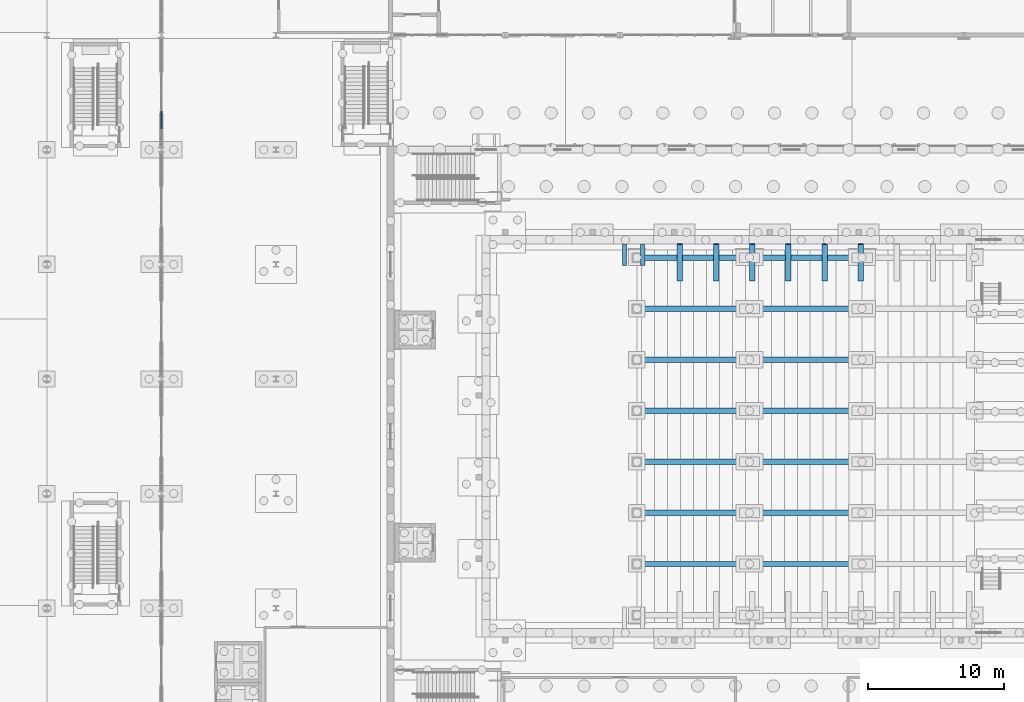
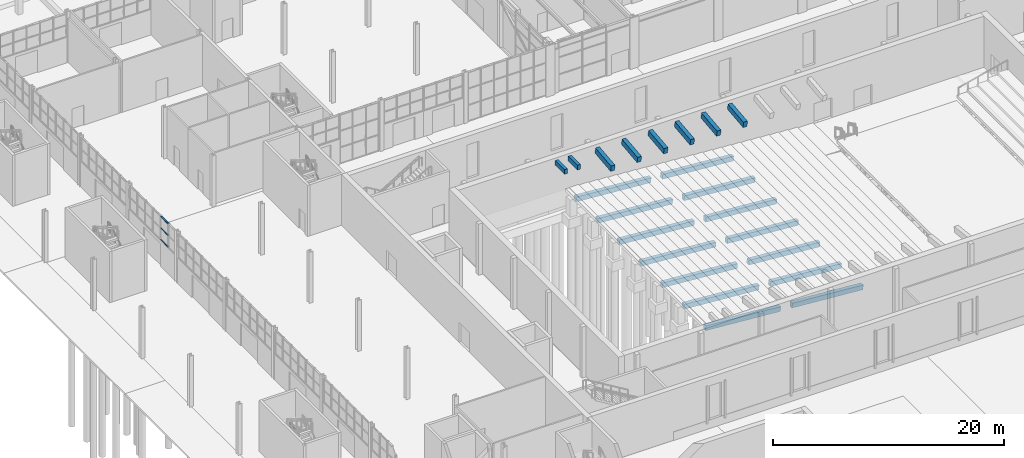
# One storey, part 37 of 127: 22 beams, 3 members, 1 element without a shape of its own.
"""IFC4 building model written with IfcOpenShell, lengths in metres."""

from ifc_helpers import new_model, si_unit, direction, frame, origin, origin_2d, place, context, subcontext, project, spatial, rectangle, extrude, material, material_profile, profile_set, type_object, element, aggregate, save


model = new_model("IFC4")

# Units and contexts
model_context = context("Model", 3, precision=1e-05, world=origin(), true_north=direction((0.0, 1.0)))
body_context = subcontext(model_context, "Body", "Model", "MODEL_VIEW")
ifc_project = project(units=[si_unit("LENGTHUNIT", "METRE"), si_unit("AREAUNIT", "SQUARE_METRE"), si_unit("VOLUMEUNIT", "CUBIC_METRE"), si_unit("PLANEANGLEUNIT", "RADIAN"), si_unit("MASSUNIT", "GRAM", prefix="KILO")], contexts=[model_context])

# Site, building, storey
site_placement = place(None, origin())
site = spatial("IfcSite", under=ifc_project, at=site_placement, CompositionType="ELEMENT")
building_placement = place(site_placement, origin())
building = spatial("IfcBuilding", under=site, at=building_placement, Name="Ljudholm Concert House", CompositionType="ELEMENT")
storey_placement = place(building_placement, origin())
storey = spatial("IfcBuildingStorey", under=building, at=storey_placement, Name="L00", CompositionType="ELEMENT", Elevation=0.0)

# Beams
ifc_material_1 = material(Name="Concrete 6,500 psi", Category="concrete")
ifc_material_profile_1 = material_profile(ifc_material_1, rectangle(XDim=0.300048828125, YDim=0.5, at=origin_2d()), Name="RC BEAM 300x500 BEAM")
ifc_profile_set_1 = profile_set([ifc_material_profile_1], Name="Concrete 6,500 psi")
beam_type_1 = type_object("IfcBeamType", Name="RC BEAM 300x500 BEAM", PredefinedType="BEAM", material=ifc_profile_set_1)
for number, where, z_axis, x_axis, name in (
    (1, (46.35009765625, 87.89990234375, 4.89990234375), (0.0, 1.0, 0.0), (-1.0, 0.0, 0.0), "Landing bracket beam"),
    (2, (47.64990234375, 87.89990234375, 4.89990234375), (0.0, 1.0, 0.0), (-1.0, 0.0, 0.0), "Landing bracket beam"),
):
    element("IfcBeam", number, at=place(storey_placement, frame(where, z_axis=z_axis, x_axis=x_axis)), inside=storey, type_object=beam_type_1, Name=name, PredefinedType="BEAM", context=body_context, shape_type="SweptSolid", body=[
        extrude(rectangle(XDim=0.300048828125, YDim=0.5, at=origin_2d()), origin(), (0.0, 0.0, 1.0), 1.60009765625),
    ])
ifc_material_2 = material(Name="Concrete 6,500 psi", Category="concrete")
ifc_material_profile_2 = material_profile(ifc_material_2, rectangle(XDim=0.39990234375, YDim=0.5, at=origin_2d()), Name="RC BEAM 400x500 BEAM")
ifc_profile_set_2 = profile_set([ifc_material_profile_2], Name="Concrete 6,500 psi")
beam_type_2 = type_object("IfcBeamType", Name="RC BEAM 400x500 BEAM", PredefinedType="BEAM", material=ifc_profile_set_2)
beam_1_placement = place(storey_placement, frame((47.60009765625, 66.04296875, 1.25), z_axis=(0.997116400564, 0.0, -0.075887309392), x_axis=(0.0, 1.0, 0.0)))
element("IfcBeam", 3, at=beam_1_placement, inside=storey, type_object=beam_type_2, Name="Ground beam", PredefinedType="BEAM", context=body_context, shape_type="SweptSolid", body=[
    extrude(rectangle(XDim=0.39990234375, YDim=0.5, at=origin_2d()), origin(), (0.0, 0.0, 1.0), 7.521728515625),
])
beam_2_placement = place(storey_placement, frame((56.25, 66.04296875, 0.620849609375), z_axis=(0.997101690302, 0.0, -0.076080346977), x_axis=(0.0, 1.0, 0.0)))
element("IfcBeam", 4, at=beam_2_placement, inside=storey, type_object=beam_type_2, Name="Ground beam", PredefinedType="BEAM", context=body_context, shape_type="SweptSolid", body=[
    extrude(rectangle(XDim=0.39990234375, YDim=0.5, at=origin_2d()), origin(), (0.0, 0.0, 1.0), 7.120849609375),
])
beam_3_placement = place(storey_placement, frame((47.60009765625, 69.78564453125, 1.25), z_axis=(0.997116400564, 0.0, -0.075887309392), x_axis=(0.0, 1.0, 0.0)))
element("IfcBeam", 5, at=beam_3_placement, inside=storey, type_object=beam_type_2, Name="Ground beam", PredefinedType="BEAM", context=body_context, shape_type="SweptSolid", body=[
    extrude(rectangle(XDim=0.39990234375, YDim=0.5, at=origin_2d()), origin(), (0.0, 0.0, 1.0), 7.521728515625),
])
beam_4_placement = place(storey_placement, frame((56.25, 69.78564453125, 0.620849609375), z_axis=(0.997101690302, 0.0, -0.076080346977), x_axis=(0.0, 1.0, 0.0)))
element("IfcBeam", 6, at=beam_4_placement, inside=storey, type_object=beam_type_2, Name="Ground beam", PredefinedType="BEAM", context=body_context, shape_type="SweptSolid", body=[
    extrude(rectangle(XDim=0.39990234375, YDim=0.5, at=origin_2d()), origin(), (0.0, 0.0, 1.0), 7.120849609375),
])
beam_5_placement = place(storey_placement, frame((47.60009765625, 73.528564453125, 1.25), z_axis=(0.997116400564, 0.0, -0.075887309392), x_axis=(0.0, 1.0, 0.0)))
element("IfcBeam", 7, at=beam_5_placement, inside=storey, type_object=beam_type_2, Name="Ground beam", PredefinedType="BEAM", context=body_context, shape_type="SweptSolid", body=[
    extrude(rectangle(XDim=0.39990234375, YDim=0.5, at=origin_2d()), origin(), (0.0, 0.0, 1.0), 7.521728515625),
])
beam_6_placement = place(storey_placement, frame((56.25, 73.528564453125, 0.620849609375), z_axis=(0.997101690302, 0.0, -0.076080346977), x_axis=(0.0, 1.0, 0.0)))
element("IfcBeam", 8, at=beam_6_placement, inside=storey, type_object=beam_type_2, Name="Ground beam", PredefinedType="BEAM", context=body_context, shape_type="SweptSolid", body=[
    extrude(rectangle(XDim=0.39990234375, YDim=0.5, at=origin_2d()), origin(), (0.0, 0.0, 1.0), 7.120849609375),
])
beam_7_placement = place(storey_placement, frame((47.60009765625, 77.271484375, 1.25), z_axis=(0.997116400564, 0.0, -0.075887309392), x_axis=(0.0, 1.0, 0.0)))
element("IfcBeam", 9, at=beam_7_placement, inside=storey, type_object=beam_type_2, Name="Ground beam", PredefinedType="BEAM", context=body_context, shape_type="SweptSolid", body=[
    extrude(rectangle(XDim=0.39990234375, YDim=0.5, at=origin_2d()), origin(), (0.0, 0.0, 1.0), 7.521728515625),
])
beam_8_placement = place(storey_placement, frame((56.25, 77.271484375, 0.620849609375), z_axis=(0.997101690302, 0.0, -0.076080346977), x_axis=(0.0, 1.0, 0.0)))
element("IfcBeam", 10, at=beam_8_placement, inside=storey, type_object=beam_type_2, Name="Ground beam", PredefinedType="BEAM", context=body_context, shape_type="SweptSolid", body=[
    extrude(rectangle(XDim=0.39990234375, YDim=0.5, at=origin_2d()), origin(), (0.0, 0.0, 1.0), 7.120849609375),
])
beam_9_placement = place(storey_placement, frame((47.60009765625, 81.014404296875, 1.25), z_axis=(0.997116400564, 0.0, -0.075887309392), x_axis=(0.0, 1.0, 0.0)))
element("IfcBeam", 11, at=beam_9_placement, inside=storey, type_object=beam_type_2, Name="Ground beam", PredefinedType="BEAM", context=body_context, shape_type="SweptSolid", body=[
    extrude(rectangle(XDim=0.39990234375, YDim=0.5, at=origin_2d()), origin(), (0.0, 0.0, 1.0), 7.521728515625),
])
beam_10_placement = place(storey_placement, frame((56.25, 81.014404296875, 0.620849609375), z_axis=(0.997101690302, 0.0, -0.076080346977), x_axis=(0.0, 1.0, 0.0)))
element("IfcBeam", 12, at=beam_10_placement, inside=storey, type_object=beam_type_2, Name="Ground beam", PredefinedType="BEAM", context=body_context, shape_type="SweptSolid", body=[
    extrude(rectangle(XDim=0.39990234375, YDim=0.5, at=origin_2d()), origin(), (0.0, 0.0, 1.0), 7.120849609375),
])
beam_11_placement = place(storey_placement, frame((47.60009765625, 84.757080078125, 1.25), z_axis=(0.997116400564, 0.0, -0.075887309392), x_axis=(0.0, 1.0, 0.0)))
element("IfcBeam", 13, at=beam_11_placement, inside=storey, type_object=beam_type_2, Name="Ground beam", PredefinedType="BEAM", context=body_context, shape_type="SweptSolid", body=[
    extrude(rectangle(XDim=0.39990234375, YDim=0.5, at=origin_2d()), origin(), (0.0, 0.0, 1.0), 7.521728515625),
])
beam_12_placement = place(storey_placement, frame((56.25, 84.757080078125, 0.620849609375), z_axis=(0.997101690302, 0.0, -0.076080346977), x_axis=(0.0, 1.0, 0.0)))
element("IfcBeam", 14, at=beam_12_placement, inside=storey, type_object=beam_type_2, Name="Ground beam", PredefinedType="BEAM", context=body_context, shape_type="SweptSolid", body=[
    extrude(rectangle(XDim=0.39990234375, YDim=0.5, at=origin_2d()), origin(), (0.0, 0.0, 1.0), 7.120849609375),
])
beam_13_placement = place(storey_placement, frame((47.60009765625, 88.5, 1.25), z_axis=(0.997116400564, 0.0, -0.075887309392), x_axis=(0.0, 1.0, 0.0)))
element("IfcBeam", 15, at=beam_13_placement, inside=storey, type_object=beam_type_2, Name="Ground beam", PredefinedType="BEAM", context=body_context, shape_type="SweptSolid", body=[
    extrude(rectangle(XDim=0.39990234375, YDim=0.5, at=origin_2d()), origin(), (0.0, 0.0, 1.0), 7.521728515625),
])
beam_14_placement = place(storey_placement, frame((56.25, 88.5, 0.620849609375), z_axis=(0.997101690302, 0.0, -0.076080346977), x_axis=(0.0, 1.0, 0.0)))
element("IfcBeam", 16, at=beam_14_placement, inside=storey, type_object=beam_type_2, Name="Ground beam", PredefinedType="BEAM", context=body_context, shape_type="SweptSolid", body=[
    extrude(rectangle(XDim=0.39990234375, YDim=0.5, at=origin_2d()), origin(), (0.0, 0.0, 1.0), 7.120849609375),
])
ifc_material_3 = material(Name="Concrete 6,500 psi", Category="concrete")
ifc_material_profile_3 = material_profile(ifc_material_3, rectangle(XDim=0.39990234375, YDim=0.60009765625, at=origin_2d()), Name="RC BEAM 400x600 BEAM")
ifc_profile_set_3 = profile_set([ifc_material_profile_3], Name="Concrete 6,500 psi")
beam_type_3 = type_object("IfcBeamType", Name="RC BEAM 400x600 BEAM", PredefinedType="BEAM", material=ifc_profile_set_3)
for number, where, z_axis, x_axis, name in (
    (17, (50.39990234375, 86.800048828125, 4.5), (0.0, 0.993881542506, 0.110451253797), (-1.0, 0.0, 0.0), "Gallery bracket beam"),
    (18, (53.050048828125, 86.800048828125, 4.5), (0.0, 0.993881542506, 0.110451253797), (-1.0, 0.0, 0.0), "Gallery bracket beam"),
    (19, (55.699951171875, 86.800048828125, 4.5), (0.0, 0.993881542506, 0.110451253797), (-1.0, 0.0, 0.0), "Gallery bracket beam"),
    (20, (58.35009765625, 86.800048828125, 4.5), (0.0, 0.993881542506, 0.110451253797), (-1.0, 0.0, 0.0), "Gallery bracket beam"),
    (21, (61.0, 86.800048828125, 4.5), (0.0, 0.993881542506, 0.110451253797), (-1.0, 0.0, 0.0), "Gallery bracket beam"),
    (22, (63.64990234375, 86.800048828125, 4.5), (0.0, 0.993881542506, 0.110451253797), (-1.0, 0.0, 0.0), "Gallery bracket beam"),
):
    element("IfcBeam", number, at=place(storey_placement, frame(where, z_axis=z_axis, x_axis=x_axis)), inside=storey, type_object=beam_type_3, Name=name, PredefinedType="BEAM", context=body_context, shape_type="SweptSolid", body=[
        extrude(rectangle(XDim=0.39990234375, YDim=0.60009765625, at=origin_2d()), origin(), (0.0, 0.0, 1.0), 2.716552734375),
    ])

# Curtain wall, members
ifc_material_4 = material(Name="Aluminium curtain wall with impact-rated laminated glass", Category="aluminium")
curtain_wall_type = type_object("IfcCurtainWallType", Name="CURTAIN WALL 1400", PredefinedType="NOTDEFINED", material=ifc_material_4)
curtain_wall_placement = place(storey_placement, origin())
curtain_wall = element("IfcCurtainWall", 23, at=curtain_wall_placement, inside=storey, type_object=curtain_wall_type, Name="Foyer curtain wall", PredefinedType="NOTDEFINED")
ifc_material_5 = material(Name="Aluminium extrusion", Category="aluminium")
ifc_material_profile_4 = material_profile(ifc_material_5, rectangle(XDim=0.1201171875, YDim=0.06005859375, at=origin_2d()), Name="TRANSOM 60x120")
ifc_profile_set_4 = profile_set([ifc_material_profile_4], Name="Aluminium extrusion")
member_type = type_object("IfcMemberType", Name="TRANSOM 60x120", PredefinedType="USERDEFINED", material=ifc_profile_set_4)
member_1_placement = place(storey_placement, frame((12.39990234375, 97.954345703125, 2.72998046875), z_axis=(0.0, 1.0, 0.0), x_axis=(-1.0, 0.0, 0.0)))
member_1 = element("IfcMember", 24, at=member_1_placement, type_object=member_type, Name="Transom", ObjectType="TRANSOM", PredefinedType="USERDEFINED", context=body_context, shape_type="SweptSolid", body=[
    extrude(rectangle(XDim=0.1201171875, YDim=0.06005859375, at=origin_2d()), origin(), (0.0, 0.0, 1.0), 1.27783203125),
])
member_2_placement = place(storey_placement, frame((12.39990234375, 97.954345703125, 3.9599609375), z_axis=(0.0, 1.0, 0.0), x_axis=(-1.0, 0.0, 0.0)))
member_2 = element("IfcMember", 25, at=member_2_placement, type_object=member_type, Name="Transom", ObjectType="TRANSOM", PredefinedType="USERDEFINED", context=body_context, shape_type="SweptSolid", body=[
    extrude(rectangle(XDim=0.1201171875, YDim=0.06005859375, at=origin_2d()), origin(), (0.0, 0.0, 1.0), 1.27783203125),
])
member_3_placement = place(storey_placement, frame((12.39990234375, 97.954345703125, 5.18994140625), z_axis=(0.0, 1.0, 0.0), x_axis=(-1.0, 0.0, 0.0)))
member_3 = element("IfcMember", 26, at=member_3_placement, type_object=member_type, Name="Transom", ObjectType="TRANSOM", PredefinedType="USERDEFINED", context=body_context, shape_type="SweptSolid", body=[
    extrude(rectangle(XDim=0.1201171875, YDim=0.06005859375, at=origin_2d()), origin(), (0.0, 0.0, 1.0), 1.27783203125),
])
aggregate(curtain_wall, [member_1, member_2, member_3])

save(model, "model.ifc")
